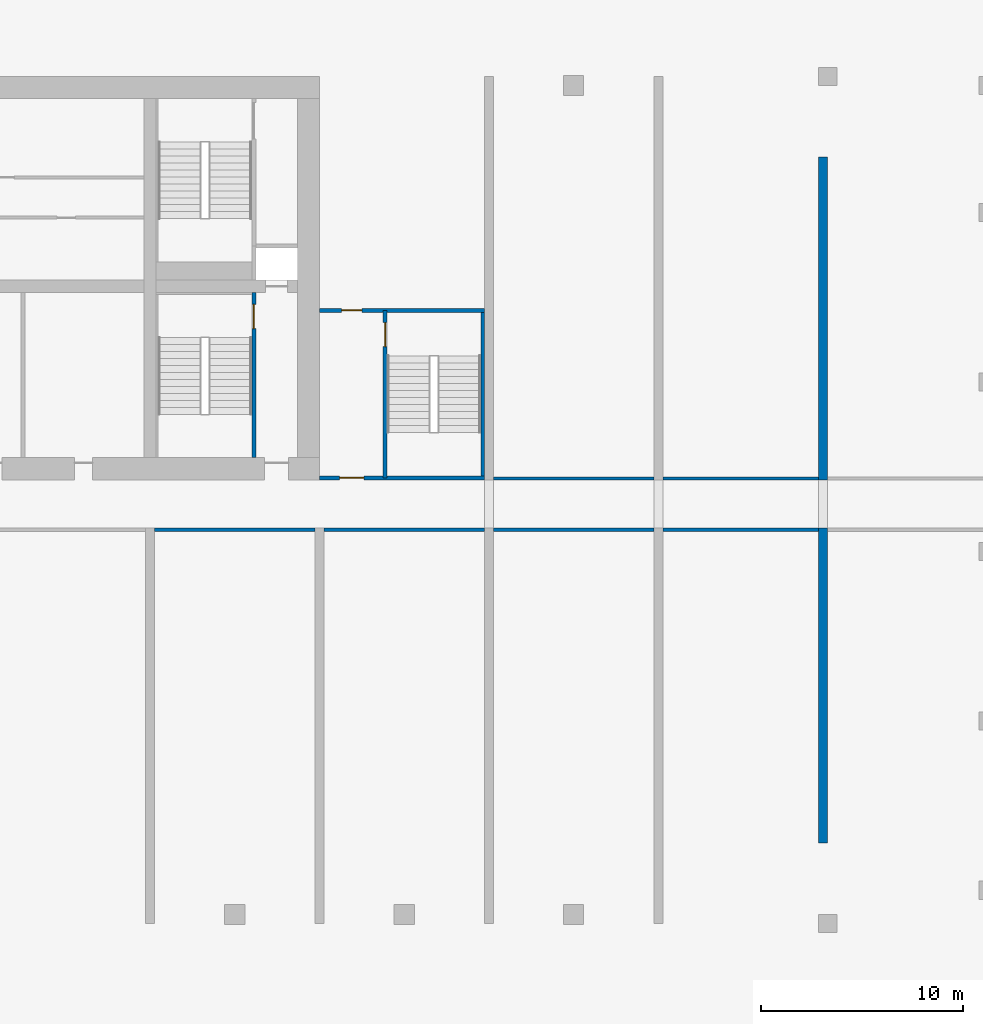
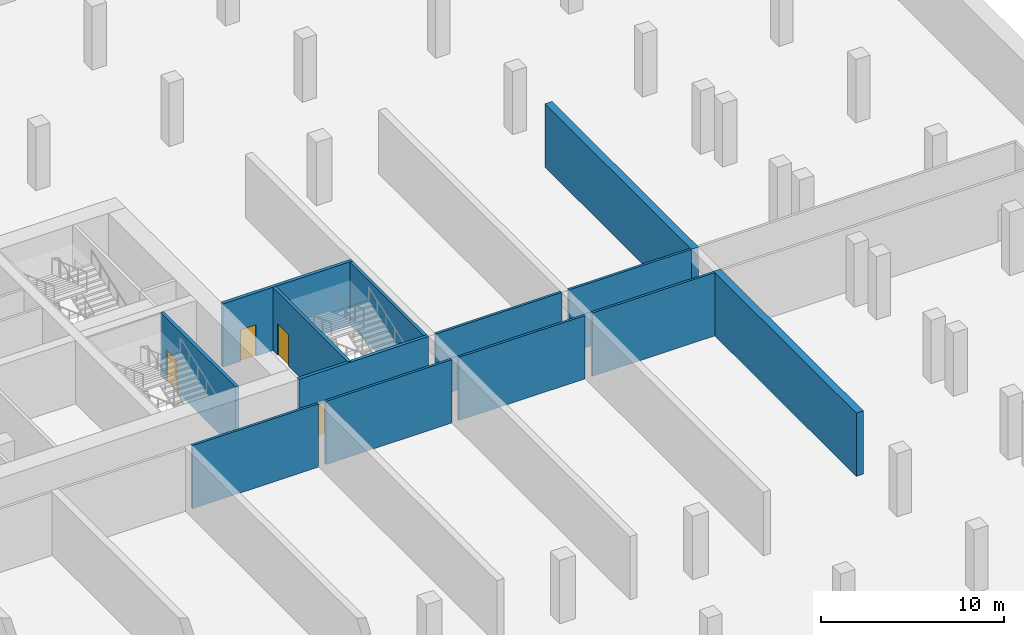
# One storey, part 6 of 13: 13 walls, 4 doors, 4 openings.
"""IFC4 building model written with IfcOpenShell, lengths in metres."""

from ifc_helpers import new_model, si_unit, direction, frame, frame_2d, origin, place, context, subcontext, project, spatial, rectangle, extrude, source, transform, mapped, material, layer, layer_set, type_object, element, fill, save


model = new_model("IFC4")

# Units and contexts
model_context = context("Model", 3, precision=1e-05, world=origin(), true_north=direction((0.0, 1.0)))
body_context = subcontext(model_context, "Body", "Model", "MODEL_VIEW")
ifc_project = project(units=[si_unit("LENGTHUNIT", "METRE"), si_unit("AREAUNIT", "SQUARE_METRE"), si_unit("VOLUMEUNIT", "CUBIC_METRE"), si_unit("PLANEANGLEUNIT", "RADIAN"), si_unit("MASSUNIT", "GRAM", prefix="KILO")], contexts=[model_context])

# Site, building, storey
site_placement = place(None, origin())
site = spatial("IfcSite", under=ifc_project, at=site_placement, CompositionType="ELEMENT")
building_placement = place(site_placement, origin())
building = spatial("IfcBuilding", under=site, at=building_placement, Name="Vanashikhar Sky Hotel", CompositionType="ELEMENT")
storey_placement = place(building_placement, frame((0.0, 0.0, -9.0)))
storey = spatial("IfcBuildingStorey", under=building, at=storey_placement, Name="B2", CompositionType="ELEMENT", Elevation=-9.0)

# Walls
ifc_material_1 = material(Name="Concrete M80", Category="concrete")
ifc_layer_1 = layer(ifc_material_1, 0.449951171875)
ifc_layer_set_1 = layer_set([ifc_layer_1], Name="RC shear wall 450 Concrete M80")
wall_type_1 = type_object("IfcWallType", Name="RC shear wall 450 Concrete M80", PredefinedType="SHEAR", material=ifc_layer_set_1)
shared_shape_1 = source(origin(), body_context, "Body", "SweptSolid", [
    extrude(rectangle(XDim=15.60009765625, YDim=0.449951171875, at=frame_2d((7.800048828125, 0.0))), origin(), (0.0, 0.0, 1.0), 4.219970703125),
])
wall_1_placement = place(storey_placement, frame((100.574951171875, 4.0, 0.0), z_axis=(0.0, 0.0, 1.0), x_axis=(0.0, 1.0, 0.0)))
element("IfcWall", 1, at=wall_1_placement, inside=storey, type_object=wall_type_1, Name="CW-B2-XW13-1", PredefinedType="SHEAR", context=body_context, shape_type="MappedRepresentation", body=[
    mapped(shared_shape_1, transform((0.0, 0.0, 0.0), scale=1.0)),
])
shared_shape_2 = source(origin(), body_context, "Body", "SweptSolid", [
    extrude(rectangle(XDim=16.0, YDim=0.449951171875, at=frame_2d((8.0, 0.0))), origin(), (0.0, 0.0, 1.0), 4.219970703125),
])
wall_2_placement = place(storey_placement, frame((100.574951171875, 22.0, 0.0), z_axis=(0.0, 0.0, 1.0), x_axis=(0.0, 1.0, 0.0)))
element("IfcWall", 2, at=wall_2_placement, inside=storey, type_object=wall_type_1, Name="CW-B2-XW13-2", PredefinedType="SHEAR", context=body_context, shape_type="MappedRepresentation", body=[
    mapped(shared_shape_2, transform((0.0, 0.0, 0.0), scale=1.0)),
])

# Wall, opening, door
ifc_material_2 = material(Name="Concrete M50", Category="concrete")
ifc_layer_2 = layer(ifc_material_2, 0.199951171875)
ifc_layer_set_2 = layer_set([ifc_layer_2], Name="Stair wall 200")
wall_type_2 = type_object("IfcWallType", Name="Stair wall 200", PredefinedType="SOLIDWALL", material=ifc_layer_set_2)
shared_shape_3 = source(origin(), body_context, "Body", "SweptSolid", [
    extrude(rectangle(XDim=8.199951171875, YDim=0.199951171875, at=frame_2d((4.10009765625, 0.0))), origin(), (0.0, 0.0, 1.0), 4.219970703125),
])
wall_3_placement = place(storey_placement, frame((72.35009765625, 23.10009765625, 0.0), z_axis=(0.0, 0.0, 1.0), x_axis=(0.0, 1.0, 0.0)))
wall_3 = element("IfcWall", 3, at=wall_3_placement, inside=storey, type_object=wall_type_2, Name="Stair wall 200", PredefinedType="SOLIDWALL", context=body_context, shape_type="MappedRepresentation", body=[
    mapped(shared_shape_3, transform((0.0, 0.0, 0.0), scale=1.0)),
])
shared_shape_4 = source(origin(), body_context, "Body", "SweptSolid", [
    extrude(rectangle(XDim=1.199951171875, YDim=2.10009765625, at=frame_2d((0.60009765625, 1.050048828125))), frame((0.0, 0.10986328125, 0.0), z_axis=(0.0, -1.0, 0.0), x_axis=(1.0, 0.0, 0.0)), (0.0, 0.0, 1.0), 0.219970703125),
])
opening_1_placement = place(wall_3_placement, frame((6.39990234375, 0.0, 0.0)))
opening_1 = element("IfcOpeningElement", 4, at=opening_1_placement, cuts=wall_3, Name="Opening DC-1", PredefinedType="OPENING", context=body_context, shape_type="MappedRepresentation", body=[
    mapped(shared_shape_4, transform((0.0, 0.0, 0.0), scale=1.0)),
])
ifc_material_3 = material(Name="Steel", Category="steel")
door_type_1 = type_object("IfcDoorType", Name="Stair door 1200 FD120", OperationType="NOTDEFINED", PredefinedType="DOOR", material=ifc_material_3)
shared_shape_5 = source(origin(), body_context, "Body", "SweptSolid", [
    extrude(rectangle(XDim=1.199951171875, YDim=2.10009765625, at=frame_2d((0.60009765625, 1.050048828125))), frame((0.0, 0.02490234375, 0.0), z_axis=(0.0, -1.0, 0.0), x_axis=(1.0, 0.0, 0.0)), (0.0, 0.0, 1.0), 0.050048828125),
])
door_1_placement = place(opening_1_placement, origin())
door_1 = element("IfcDoor", 5, at=door_1_placement, inside=storey, type_object=door_type_1, Name="Stair door 1200 FD120", OperationType="SINGLE_SWING_LEFT", OverallHeight=2.10009765625, OverallWidth=1.199951171875, PredefinedType="DOOR", context=body_context, shape_type="MappedRepresentation", body=[
    mapped(shared_shape_5, transform((0.0, 0.0, 0.0), scale=1.0)),
])
fill(opening_1, door_1)

shared_shape_6 = source(origin(), body_context, "Body", "SweptSolid", [
    extrude(rectangle(XDim=8.2998046875, YDim=0.199951171875, at=frame_2d((4.14990234375, 0.0))), origin(), (0.0, 0.0, 1.0), 4.219970703125),
])
wall_4_placement = place(storey_placement, frame((78.85009765625, 22.10009765625, 0.0), z_axis=(0.0, 0.0, 1.0), x_axis=(0.0, 1.0, 0.0)))
wall_4 = element("IfcWall", 6, at=wall_4_placement, inside=storey, type_object=wall_type_2, Name="Stair wall 200", PredefinedType="SOLIDWALL", context=body_context, shape_type="MappedRepresentation", body=[
    mapped(shared_shape_6, transform((0.0, 0.0, 0.0), scale=1.0)),
])
opening_2_placement = place(wall_4_placement, frame((6.5, 0.0, 0.0)))
opening_2 = element("IfcOpeningElement", 7, at=opening_2_placement, cuts=wall_4, Name="Opening DC-1", PredefinedType="OPENING", context=body_context, shape_type="MappedRepresentation", body=[
    mapped(shared_shape_4, transform((0.0, 0.0, 0.0), scale=1.0)),
])
door_2_placement = place(opening_2_placement, origin())
door_2 = element("IfcDoor", 8, at=door_2_placement, inside=storey, type_object=door_type_1, Name="Stair door 1200 FD120", OperationType="SINGLE_SWING_LEFT", OverallHeight=2.10009765625, OverallWidth=1.199951171875, PredefinedType="DOOR", context=body_context, shape_type="MappedRepresentation", body=[
    mapped(shared_shape_5, transform((0.0, 0.0, 0.0), scale=1.0)),
])
fill(opening_2, door_2)

shared_shape_7 = source(origin(), body_context, "Body", "SweptSolid", [
    extrude(rectangle(XDim=8.1748046875, YDim=0.199951171875, at=frame_2d((4.08740234375, 0.0))), origin(), (0.0, 0.0, 1.0), 4.219970703125),
])
wall_5_placement = place(storey_placement, frame((83.77490234375, 22.10009765625, 0.0), z_axis=(0.0, 0.0, 1.0), x_axis=(-1.0, 0.0, 0.0)))
wall_5 = element("IfcWall", 9, at=wall_5_placement, inside=storey, type_object=wall_type_2, Name="Stair wall 200", PredefinedType="SOLIDWALL", context=body_context, shape_type="MappedRepresentation", body=[
    mapped(shared_shape_7, transform((0.0, 0.0, 0.0), scale=1.0)),
])
opening_3_placement = place(wall_5_placement, frame((5.97509765625, 0.0, 0.0)))
opening_3 = element("IfcOpeningElement", 10, at=opening_3_placement, cuts=wall_5, Name="Opening DC-2", PredefinedType="OPENING", context=body_context, shape_type="MappedRepresentation", body=[
    mapped(shared_shape_4, transform((0.0, 0.0, 0.0), scale=1.0)),
])
door_type_2 = type_object("IfcDoorType", Name="Firefighting lobby door 1200 FD120", OperationType="NOTDEFINED", PredefinedType="DOOR", material=ifc_material_3)
door_3_placement = place(opening_3_placement, origin())
door_3 = element("IfcDoor", 11, at=door_3_placement, inside=storey, type_object=door_type_2, Name="Firefighting lobby door 1200 FD120", OperationType="SINGLE_SWING_LEFT", OverallHeight=2.10009765625, OverallWidth=1.199951171875, PredefinedType="DOOR", context=body_context, shape_type="MappedRepresentation", body=[
    mapped(shared_shape_5, transform((0.0, 0.0, 0.0), scale=1.0)),
])
fill(opening_3, door_3)

wall_6_placement = place(storey_placement, frame((83.77490234375, 30.39990234375, 0.0), z_axis=(0.0, 0.0, 1.0), x_axis=(-1.0, 0.0, 0.0)))
wall_6 = element("IfcWall", 12, at=wall_6_placement, inside=storey, type_object=wall_type_2, Name="Stair wall 200", PredefinedType="SOLIDWALL", context=body_context, shape_type="MappedRepresentation", body=[
    mapped(shared_shape_7, transform((0.0, 0.0, 0.0), scale=1.0)),
])
shared_shape_8 = source(origin(), body_context, "Body", "SweptSolid", [
    extrude(rectangle(XDim=1.0, YDim=2.10009765625, at=frame_2d((0.5, 1.050048828125))), frame((0.0, 0.10986328125, 0.0), z_axis=(0.0, -1.0, 0.0), x_axis=(1.0, 0.0, 0.0)), (0.0, 0.0, 1.0), 0.219970703125),
])
opening_4_placement = place(wall_6_placement, frame((6.074951171875, 0.0, 0.0)))
opening_4 = element("IfcOpeningElement", 13, at=opening_4_placement, cuts=wall_6, Name="Opening DC-6", PredefinedType="OPENING", context=body_context, shape_type="MappedRepresentation", body=[
    mapped(shared_shape_8, transform((0.0, 0.0, 0.0), scale=1.0)),
])
door_type_3 = type_object("IfcDoorType", Name="Pocket door 1000 FD60", OperationType="NOTDEFINED", PredefinedType="DOOR", material=ifc_material_3)
shared_shape_9 = source(origin(), body_context, "Body", "SweptSolid", [
    extrude(rectangle(XDim=1.0, YDim=2.10009765625, at=frame_2d((0.5, 1.050048828125))), frame((0.0, 0.02490234375, 0.0), z_axis=(0.0, -1.0, 0.0), x_axis=(1.0, 0.0, 0.0)), (0.0, 0.0, 1.0), 0.050048828125),
])
door_4_placement = place(opening_4_placement, origin())
door_4 = element("IfcDoor", 14, at=door_4_placement, inside=storey, type_object=door_type_3, Name="Pocket door 1000 FD60", OperationType="SINGLE_SWING_LEFT", OverallHeight=2.10009765625, OverallWidth=1.0, PredefinedType="DOOR", context=body_context, shape_type="MappedRepresentation", body=[
    mapped(shared_shape_9, transform((0.0, 0.0, 0.0), scale=1.0)),
])
fill(opening_4, door_4)

# Walls
ifc_layer_3 = layer(ifc_material_2, 0.175048828125)
ifc_layer_set_3 = layer_set([ifc_layer_3], Name="Stair infill wall 175")
wall_type_3 = type_object("IfcWallType", Name="Stair infill wall 175", PredefinedType="SOLIDWALL", material=ifc_layer_set_3)
shared_shape_10 = source(origin(), body_context, "Body", "SweptSolid", [
    extrude(rectangle(XDim=8.10009765625, YDim=0.175048828125, at=frame_2d((4.050048828125, 0.0))), origin(), (0.0, 0.0, 1.0), 4.219970703125),
])
wall_7_placement = place(storey_placement, frame((83.68798828125, 22.199951171875, 0.0), z_axis=(0.0, 0.0, 1.0), x_axis=(0.0, 1.0, 0.0)))
element("IfcWall", 15, at=wall_7_placement, inside=storey, type_object=wall_type_3, Name="Stair infill wall 175", PredefinedType="SOLIDWALL", context=body_context, shape_type="MappedRepresentation", body=[
    mapped(shared_shape_10, transform((0.0, 0.0, 0.0), scale=1.0)),
])
ifc_material_4 = material(Name="Concrete M30", Category="concrete")
ifc_layer_4 = layer(ifc_material_4, 0.14990234375)
ifc_layer_set_4 = layer_set([ifc_layer_4], Name="Car park partition 150 mm")
wall_type_4 = type_object("IfcWallType", Name="Car park partition 150 mm", PredefinedType="PARTITIONING", material=ifc_layer_set_4)
shared_shape_11 = source(origin(), body_context, "Body", "SweptSolid", [
    extrude(rectangle(XDim=7.72509765625, YDim=0.14990234375, at=frame_2d((3.862548828125, 0.0))), origin(), (0.0, 0.0, 1.0), 4.219970703125),
])
for number, where, z_axis, x_axis, name in (
    (16, (92.625, 19.52490234375, 0.0), (0.0, 0.0, 1.0), (1.0, 0.0, 0.0), "Car park partition"),
    (17, (92.625, 22.074951171875, 0.0), (0.0, 0.0, 1.0), (1.0, 0.0, 0.0), "Car park partition"),
):
    element("IfcWall", number, at=place(storey_placement, frame(where, z_axis=z_axis, x_axis=x_axis)), inside=storey, type_object=wall_type_4, Name=name, PredefinedType="PARTITIONING", context=body_context, shape_type="MappedRepresentation", body=[
        mapped(shared_shape_11, transform((0.0, 0.0, 0.0), scale=1.0)),
    ])
shared_shape_12 = source(origin(), body_context, "Body", "SweptSolid", [
    extrude(rectangle(XDim=7.949951171875, YDim=0.14990234375, at=frame_2d((3.97509765625, 0.0))), origin(), (0.0, 0.0, 1.0), 4.219970703125),
])
for number, where, z_axis, x_axis, name in (
    (18, (67.425048828125, 19.52490234375, 0.0), (0.0, 0.0, 1.0), (1.0, 0.0, 0.0), "Car park partition"),
    (19, (75.824951171875, 19.52490234375, 0.0), (0.0, 0.0, 1.0), (1.0, 0.0, 0.0), "Car park partition"),
    (20, (84.22509765625, 19.52490234375, 0.0), (0.0, 0.0, 1.0), (1.0, 0.0, 0.0), "Car park partition"),
    (21, (84.22509765625, 22.074951171875, 0.0), (0.0, 0.0, 1.0), (1.0, 0.0, 0.0), "Car park partition"),
):
    element("IfcWall", number, at=place(storey_placement, frame(where, z_axis=z_axis, x_axis=x_axis)), inside=storey, type_object=wall_type_4, Name=name, PredefinedType="PARTITIONING", context=body_context, shape_type="MappedRepresentation", body=[
        mapped(shared_shape_12, transform((0.0, 0.0, 0.0), scale=1.0)),
    ])

save(model, "model.ifc")
